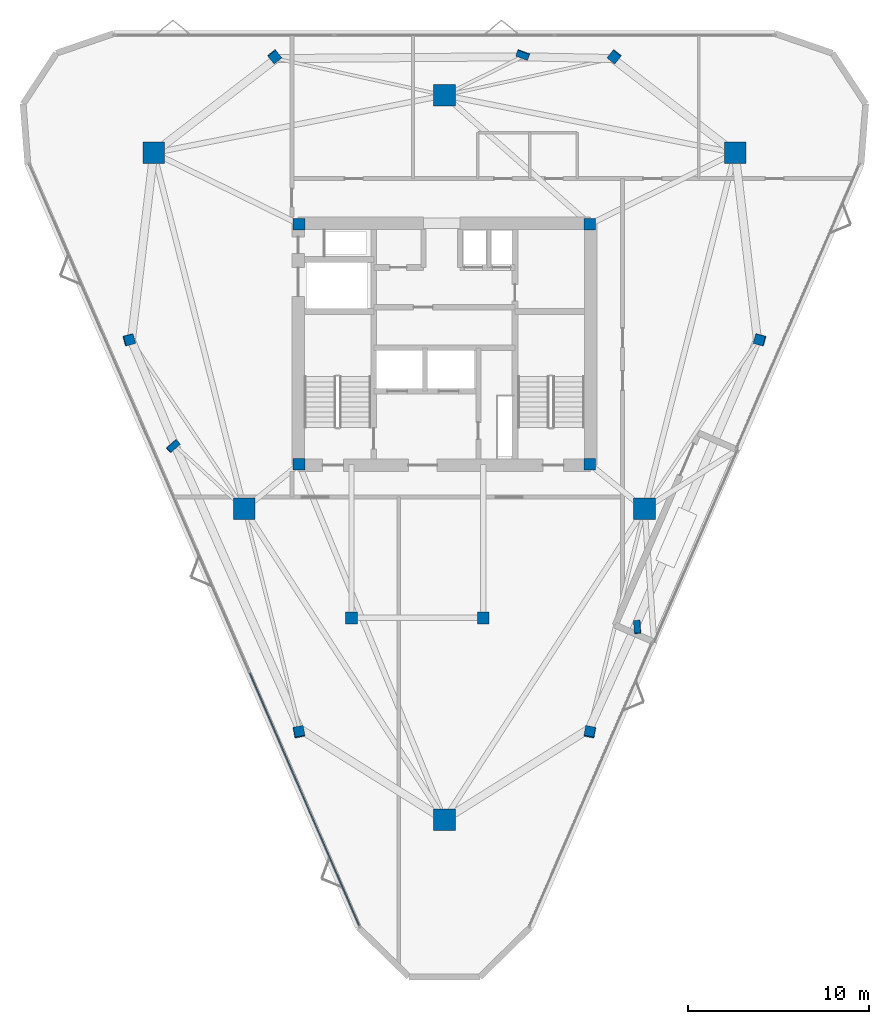
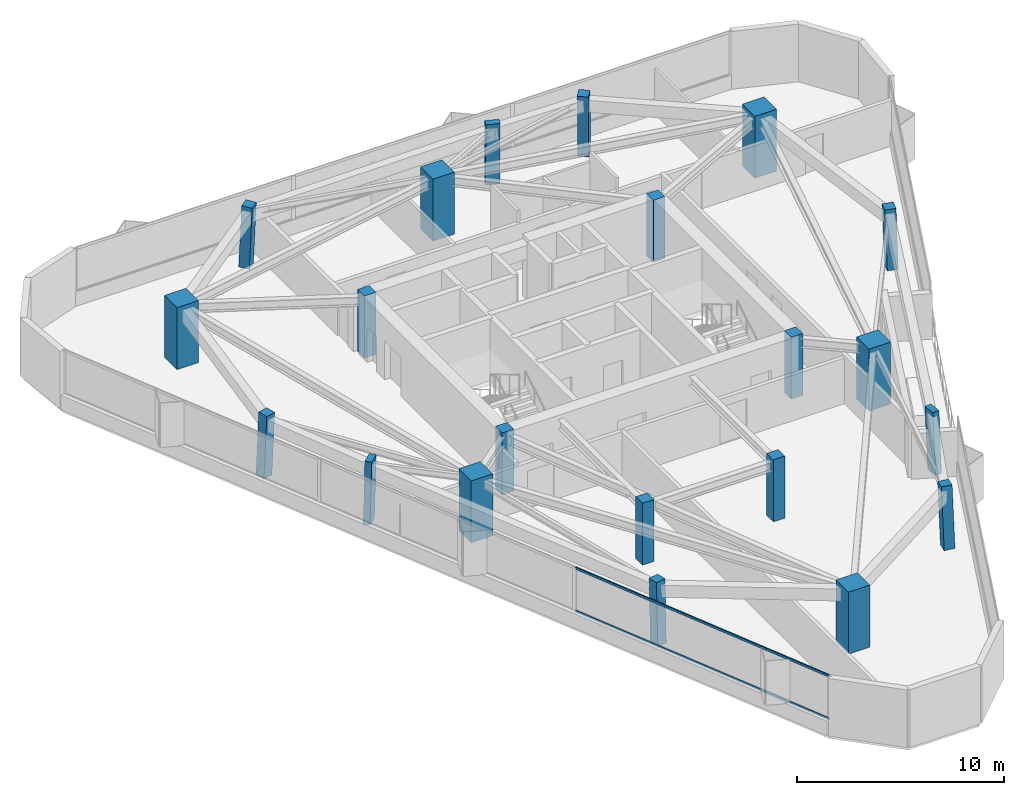
# One storey, part 1 of 10: 21 columns, 2 members, 1 element without a shape of its own.
"""IFC4 building model written with IfcOpenShell, lengths in metres."""

from ifc_helpers import new_model, si_unit, direction, frame, origin, origin_2d, place, context, subcontext, project, spatial, rectangle, extrude, material, layer, layer_set, material_profile, profile_set, type_object, element, aggregate, save


model = new_model("IFC4")

# Units and contexts
model_context = context("Model", 3, precision=1e-05, world=origin(), true_north=direction((0.0, 1.0)))
body_context = subcontext(model_context, "Body", "Model", "MODEL_VIEW")
ifc_project = project(units=[si_unit("LENGTHUNIT", "METRE"), si_unit("AREAUNIT", "SQUARE_METRE"), si_unit("VOLUMEUNIT", "CUBIC_METRE"), si_unit("PLANEANGLEUNIT", "RADIAN"), si_unit("MASSUNIT", "GRAM", prefix="KILO")], contexts=[model_context])

# Site, building, storey
site_placement = place(None, origin())
site = spatial("IfcSite", under=ifc_project, at=site_placement, CompositionType="ELEMENT")
building_placement = place(site_placement, origin())
building = spatial("IfcBuilding", under=site, at=building_placement, Name="Talyreon Biosciences Tower", CompositionType="ELEMENT")
storey_placement = place(building_placement, frame((0.0, 0.0, 253.5)))
storey = spatial("IfcBuildingStorey", under=building, at=storey_placement, Name="L67", CompositionType="ELEMENT", Elevation=253.5)

# Columns
ifc_material_1 = material(Name="Precast concrete C45/55", Category="concrete")
ifc_material_profile_1 = material_profile(ifc_material_1, rectangle(XDim=0.699951171875, YDim=0.35009765625, at=origin_2d()), Name="RC 700x350")
ifc_profile_set_1 = profile_set([ifc_material_profile_1], Name="Precast concrete C45/55")
column_type_1 = type_object("IfcColumnType", Name="FacadePilaster_700x350", PredefinedType="PILASTER", material=ifc_profile_set_1)
column_1_placement = place(storey_placement, frame((76.69189453125, 52.313720703125, 0.0029296875), z_axis=(-0.019545044433, 0.038353802945, 0.999073058909), x_axis=(0.06214873527, -0.997284917644, 0.039500984089)))
element("IfcColumn", 1, at=column_1_placement, inside=storey, type_object=column_type_1, Name="L67 Facade Pilaster PL-SE", PredefinedType="PILASTER", context=body_context, shape_type="SweptSolid", body=[
    extrude(rectangle(XDim=0.699951171875, YDim=0.35009765625, at=origin_2d()), origin(), (0.0, 0.0, 1.0), 3.6474609375),
])
column_2_placement = place(storey_placement, frame((70.34765625, 84.045654296875, 0.0029296875), z_axis=(-0.012386525043, -0.033611003089, 0.999358231301), x_axis=(-0.938311200574, 0.345791976307, 0.0)))
element("IfcColumn", 2, at=column_2_placement, inside=storey, type_object=column_type_1, Name="L67 Facade Pilaster PL-N", PredefinedType="PILASTER", context=body_context, shape_type="SweptSolid", body=[
    extrude(rectangle(XDim=0.699951171875, YDim=0.35009765625, at=origin_2d()), origin(), (0.0, 0.0, 1.0), 3.646484375),
])
column_3_placement = place(storey_placement, frame((50.960205078125, 62.35205078125, 0.0029296875), z_axis=(0.032006454348, 0.010579539303, 0.999431668614), x_axis=(0.74603862839, 0.665183821455, -0.030932969862)))
element("IfcColumn", 3, at=column_3_placement, inside=storey, type_object=column_type_1, Name="L67 Facade Pilaster PL-SW", PredefinedType="PILASTER", context=body_context, shape_type="SweptSolid", body=[
    extrude(rectangle(XDim=0.699951171875, YDim=0.35009765625, at=origin_2d()), origin(), (0.0, 0.0, 1.0), 3.64599609375),
])
ifc_material_2 = material(Name="Concrete C50/60", Category="concrete")
ifc_material_profile_2 = material_profile(ifc_material_2, rectangle(XDim=1.199951171875, YDim=1.199951171875, at=origin_2d()), Name="RC 1200x1200")
ifc_profile_set_2 = profile_set([ifc_material_profile_2], Name="Concrete C50/60")
column_type_2 = type_object("IfcColumnType", Name="MegaColumn_1200", PredefinedType="COLUMN", material=ifc_profile_set_2)
for number, where, z_axis, x_axis, name in (
    (4, (66.0, 41.6669921875, 0.0), (0.0, 0.0, 1.0), (1.0, 0.0, 0.0), "L67 Composite Mega-Column MC1"),
    (5, (82.102294921875, 78.5986328125, 0.0), (0.0, 0.0, 1.0), (1.0, 0.0, 0.0), "L67 Composite Mega-Column MC2"),
    (6, (49.897705078125, 78.5986328125, 0.0), (0.0, 0.0, 1.0), (1.0, 0.0, 0.0), "L67 Composite Mega-Column MC3"),
    (7, (77.086181640625, 58.88037109375, 0.0), (0.0, 0.0, 1.0), (1.0, 0.0, 0.0), "L67 Composite Mega-Column MC4"),
    (8, (66.0, 81.788818359375, 0.0), (0.0, 0.0, 1.0), (1.0, 0.0, 0.0), "L67 Composite Mega-Column MC5"),
    (9, (54.913818359375, 58.88037109375, 0.0), (0.0, 0.0, 1.0), (1.0, 0.0, 0.0), "L67 Composite Mega-Column MC6"),
):
    element("IfcColumn", number, at=place(storey_placement, frame(where, z_axis=z_axis, x_axis=x_axis)), inside=storey, type_object=column_type_2, Name=name, PredefinedType="COLUMN", context=body_context, shape_type="SweptSolid", body=[
        extrude(rectangle(XDim=1.199951171875, YDim=1.199951171875, at=origin_2d()), origin(), (0.0, 0.0, 1.0), 3.64990234375),
    ])
ifc_material_profile_3 = material_profile(ifc_material_2, rectangle(XDim=0.550048828125, YDim=0.550048828125, at=origin_2d()), Name="RC 550x550")
ifc_profile_set_3 = profile_set([ifc_material_profile_3], Name="Concrete C50/60")
column_type_3 = type_object("IfcColumnType", Name="PerimeterColumn_550", PredefinedType="COLUMN", material=ifc_profile_set_3)
column_4_placement = place(storey_placement, frame((74.064208984375, 46.497802734375, 0.0029296875), z_axis=(-0.012375096162, 0.054517315524, 0.998436136818), x_axis=(-0.18476526121, -0.981442903542, 0.051299369762)))
element("IfcColumn", 10, at=column_4_placement, inside=storey, type_object=column_type_3, Name="L67 Tapering Perimeter Column PC-SE1", PredefinedType="COLUMN", context=body_context, shape_type="SweptSolid", body=[
    extrude(rectangle(XDim=0.550048828125, YDim=0.550048828125, at=origin_2d()), origin(), (0.0, 0.0, 1.0), 3.649658203125),
])
column_5_placement = place(storey_placement, frame((83.484130859375, 68.24755859375, 0.0029296875), z_axis=(-0.039229508262, -0.005623342481, 0.999214403269), x_axis=(0.964025407479, -0.263310688432, 0.036366125617)))
element("IfcColumn", 11, at=column_5_placement, inside=storey, type_object=column_type_3, Name="L67 Tapering Perimeter Column PC-SE2", PredefinedType="COLUMN", context=body_context, shape_type="SweptSolid", body=[
    extrude(rectangle(XDim=0.550048828125, YDim=0.550048828125, at=origin_2d()), origin(), (0.0, 0.0, 1.0), 3.64697265625),
])
for number, where, z_axis, x_axis, name in (
    (12, (75.419921875, 83.945556640625, 0.0029296875), (-0.026841076243, -0.033534611465, 0.999077067328), (-0.780716755404, 0.624885067698, 0.0), "L67 Tapering Perimeter Column PC-N1"),
    (13, (56.580078125, 83.945556640625, 0.0029296875), (0.026841076243, -0.033534611465, 0.999077067328), (-0.780716755404, -0.624885067698, 0.0), "L67 Tapering Perimeter Column PC-N2"),
):
    element("IfcColumn", number, at=place(storey_placement, frame(where, z_axis=z_axis, x_axis=x_axis)), inside=storey, type_object=column_type_3, Name=name, PredefinedType="COLUMN", context=body_context, shape_type="SweptSolid", body=[
        extrude(rectangle(XDim=0.550048828125, YDim=0.550048828125, at=origin_2d()), origin(), (0.0, 0.0, 1.0), 3.6474609375),
    ])
column_6_placement = place(storey_placement, frame((48.515869140625, 68.24755859375, 0.0029296875), z_axis=(0.039229508262, -0.005623342481, 0.999214403269), x_axis=(0.964025407479, 0.263310688432, -0.036366125617)))
element("IfcColumn", 14, at=column_6_placement, inside=storey, type_object=column_type_3, Name="L67 Tapering Perimeter Column PC-SW1", PredefinedType="COLUMN", context=body_context, shape_type="SweptSolid", body=[
    extrude(rectangle(XDim=0.550048828125, YDim=0.550048828125, at=origin_2d()), origin(), (0.0, 0.0, 1.0), 3.64697265625),
])
column_7_placement = place(storey_placement, frame((57.935791015625, 46.497802734375, 0.0029296875), z_axis=(0.012375096162, 0.054517315524, 0.998436136818), x_axis=(-0.18476526121, 0.981442903542, -0.051299369762)))
element("IfcColumn", 15, at=column_7_placement, inside=storey, type_object=column_type_3, Name="L67 Tapering Perimeter Column PC-SW2", PredefinedType="COLUMN", context=body_context, shape_type="SweptSolid", body=[
    extrude(rectangle(XDim=0.550048828125, YDim=0.550048828125, at=origin_2d()), origin(), (0.0, 0.0, 1.0), 3.649658203125),
])
ifc_material_profile_4 = material_profile(ifc_material_2, rectangle(XDim=0.64990234375, YDim=0.64990234375, at=origin_2d()), Name="RC 650x650")
ifc_profile_set_4 = profile_set([ifc_material_profile_4], Name="Concrete C50/60")
column_type_4 = type_object("IfcColumnType", Name="PerimeterColumn_650", PredefinedType="COLUMN", material=ifc_profile_set_4)
for number, where, z_axis, x_axis, name in (
    (16, (57.949951171875, 61.35009765625, 0.0), (0.0, 0.0, 1.0), (1.0, 0.0, 0.0), "L67 Core Column CC1"),
    (17, (74.050048828125, 61.35009765625, 0.0), (0.0, 0.0, 1.0), (1.0, 0.0, 0.0), "L67 Core Column CC2"),
    (18, (74.050048828125, 74.64990234375, 0.0), (0.0, 0.0, 1.0), (1.0, 0.0, 0.0), "L67 Core Column CC3"),
    (19, (57.949951171875, 74.64990234375, 0.0), (0.0, 0.0, 1.0), (1.0, 0.0, 0.0), "L67 Core Column CC4"),
    (20, (60.85009765625, 52.840087890625, 0.0), (0.0, 0.0, 1.0), (1.0, 0.0, 0.0), "L67 Core Column CSW"),
    (21, (68.14990234375, 52.840087890625, 0.0), (0.0, 0.0, 1.0), (1.0, 0.0, 0.0), "L67 Core Column CSE"),
):
    element("IfcColumn", number, at=place(storey_placement, frame(where, z_axis=z_axis, x_axis=x_axis)), inside=storey, type_object=column_type_4, Name=name, PredefinedType="COLUMN", context=body_context, shape_type="SweptSolid", body=[
        extrude(rectangle(XDim=0.64990234375, YDim=0.64990234375, at=origin_2d()), origin(), (0.0, 0.0, 1.0), 3.64990234375),
    ])

# Curtain wall, members
ifc_material_3 = material(Name="Thermally broken aluminium and low-E glazing", Category="aluminium")
ifc_layer = layer(ifc_material_3, 0.205078125)
ifc_layer_set = layer_set([ifc_layer], Name="Thermally broken aluminium and low-E glazing")
curtain_wall_type = type_object("IfcCurtainWallType", Name="CurtainWall_SkyGardenLoggia", PredefinedType="NOTDEFINED", material=ifc_layer_set)
curtain_wall_placement = place(storey_placement, origin())
curtain_wall = element("IfcCurtainWall", 22, at=curtain_wall_placement, inside=storey, type_object=curtain_wall_type, Name="L67 Unitised Curtain Wall FCW-L67-15", PredefinedType="NOTDEFINED")
ifc_material_4 = material(Name="Anodised thermally broken aluminium", Category="aluminium")
ifc_material_profile_5 = material_profile(ifc_material_4, rectangle(XDim=0.06494140625, YDim=0.139892578125, at=origin_2d()), Name="ALUM TRANSOM 65x140")
ifc_profile_set_5 = profile_set([ifc_material_profile_5], Name="Anodised thermally broken aluminium")
member_type = type_object("IfcMemberType", Name="CWTransom_65x140", PredefinedType="USERDEFINED", material=ifc_profile_set_5)
member_1_placement = place(storey_placement, frame((61.272216796875, 35.802734375, 0.842529296875), z_axis=(-0.397544476577, 0.917582905869, 0.0), x_axis=(-0.917582905869, -0.397544476577, 0.0)))
member_1 = element("IfcMember", 23, at=member_1_placement, type_object=member_type, Name="CW7 transom 1.1", ObjectType="TRANSOM", PredefinedType="USERDEFINED", context=body_context, shape_type="SweptSolid", body=[
    extrude(rectangle(XDim=0.06494140625, YDim=0.139892578125, at=origin_2d()), origin(), (0.0, 0.0, 1.0), 15.235107421875),
])
member_2_placement = place(storey_placement, frame((61.272216796875, 35.802734375, 3.367431640625), z_axis=(-0.397544476577, 0.917582905869, 0.0), x_axis=(-0.917582905869, -0.397544476577, 0.0)))
member_2 = element("IfcMember", 24, at=member_2_placement, type_object=member_type, Name="CW7 transom 1.2", ObjectType="TRANSOM", PredefinedType="USERDEFINED", context=body_context, shape_type="SweptSolid", body=[
    extrude(rectangle(XDim=0.06494140625, YDim=0.139892578125, at=origin_2d()), origin(), (0.0, 0.0, 1.0), 15.235107421875),
])
aggregate(curtain_wall, [member_1, member_2])

save(model, "model.ifc")
